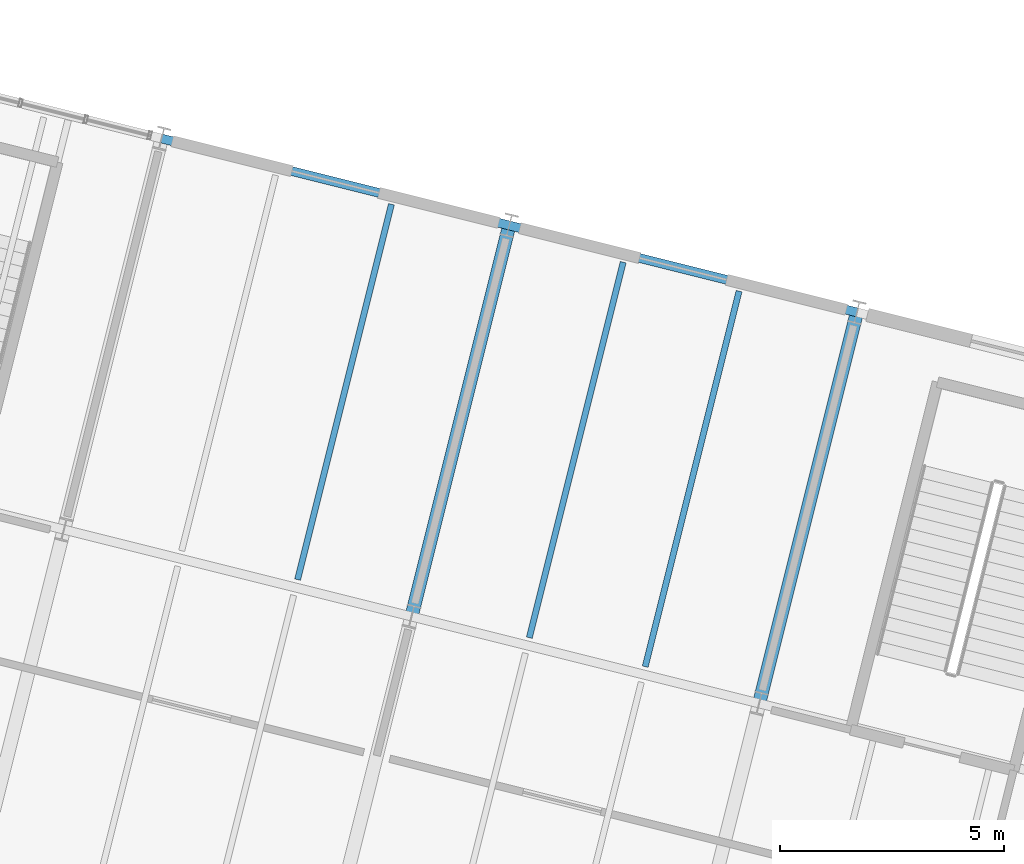
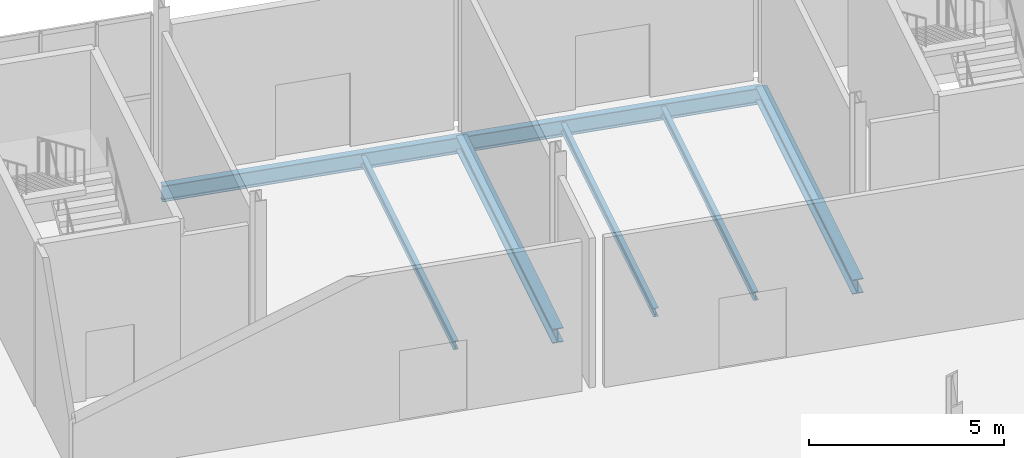
# One storey, part 103 of 158: 7 beams.
"""IFC4 building model written with IfcOpenShell, lengths in metres."""

from ifc_helpers import new_model, si_unit, derived_unit, direction, frame, origin, origin_2d, place, context, subcontext, project, spatial, i_section, extrude, material, material_profile, profile_set, type_object, element, save


model = new_model("IFC4")

# Units and contexts
model_context = context("Model", 3, precision=1e-05, world=origin(), true_north=direction((0.0, 1.0)))
body_context = subcontext(model_context, "Body", "Model", "MODEL_VIEW")
ifc_project = project(units=[si_unit("LENGTHUNIT", "METRE"), si_unit("AREAUNIT", "SQUARE_METRE"), si_unit("VOLUMEUNIT", "CUBIC_METRE"), si_unit("PLANEANGLEUNIT", "RADIAN"), si_unit("MASSUNIT", "GRAM", prefix="KILO"), si_unit("THERMODYNAMICTEMPERATUREUNIT", "KELVIN"), si_unit("TIMEUNIT", "SECOND"), derived_unit("THERMALTRANSMITTANCEUNIT", [(si_unit("MASSUNIT", "GRAM", prefix="KILO"), 1), (si_unit("THERMODYNAMICTEMPERATUREUNIT", "KELVIN"), -1), (si_unit("TIMEUNIT", "SECOND"), -3)])], contexts=[model_context])

# Site, building, storey
site_placement = place(None, origin())
site = spatial("IfcSite", under=ifc_project, at=site_placement, CompositionType="ELEMENT")
building_placement = place(site_placement, origin())
building = spatial("IfcBuilding", under=site, at=building_placement, Name="Cambertide Market Hall", CompositionType="ELEMENT")
storey_placement = place(building_placement, origin())
storey = spatial("IfcBuildingStorey", under=building, at=storey_placement, Name="L01", CompositionType="ELEMENT", Elevation=0.0)

# Beams
ifc_material_1 = material(Name="Steel S355", Category="steel")
ifc_material_profile_1 = material_profile(ifc_material_1, i_section(OverallWidth=0.300048828125, OverallDepth=0.449951171875, WebThickness=0.013916015625, FlangeThickness=0.02587890625, FilletRadius=0.027099609375, at=origin_2d()), Name="HEB 450")
ifc_profile_set_1 = profile_set([ifc_material_profile_1], Name="Steel S355")
beam_type_1 = type_object("IfcBeamType", Name="Steel Girder HEB 450", PredefinedType="BEAM", material=ifc_profile_set_1)
beam_1_placement = place(storey_placement, frame((158.932373046875, 105.82080078125, -0.52490234375), z_axis=(0.242535625036, 0.970142500145, 0.0), x_axis=(-0.970142500145, 0.242535625036, 0.0)))
element("IfcBeam", 1, at=beam_1_placement, inside=storey, type_object=beam_type_1, Name="Level 1 Beam BM-V4V-L01-7-3", PredefinedType="BEAM", context=body_context, shape_type="SweptSolid", body=[
    extrude(i_section(OverallWidth=0.300048828125, OverallDepth=0.449951171875, WebThickness=0.013916015625, FlangeThickness=0.02587890625, FilletRadius=0.027099609375, at=origin_2d()), origin(), (0.0, 0.0, 1.0), 9.000244140625),
])
beam_2_placement = place(storey_placement, frame((166.693603515625, 103.880615234375, -0.52490234375), z_axis=(0.242542007841, 0.970140904422, 0.0), x_axis=(-0.970140904422, 0.242542007841, 0.0)))
element("IfcBeam", 2, at=beam_2_placement, inside=storey, type_object=beam_type_1, Name="Level 1 Beam BM-V4V-L01-8-3", PredefinedType="BEAM", context=body_context, shape_type="SweptSolid", body=[
    extrude(i_section(OverallWidth=0.300048828125, OverallDepth=0.449951171875, WebThickness=0.013916015625, FlangeThickness=0.02587890625, FilletRadius=0.027099609375, at=origin_2d()), origin(), (0.0, 0.0, 1.0), 9.0),
])
ifc_material_2 = material(Name="Steel S355", Category="steel")
ifc_material_profile_2 = material_profile(ifc_material_2, i_section(OverallWidth=0.199951171875, OverallDepth=0.5, WebThickness=0.01025390625, FlangeThickness=0.01611328125, FilletRadius=0.02099609375, at=origin_2d()), Name="IPE 500")
ifc_profile_set_2 = profile_set([ifc_material_profile_2], Name="Steel S355")
beam_type_2 = type_object("IfcBeamType", Name="Steel Girder IPE 500", PredefinedType="BEAM", material=ifc_profile_set_2)
beam_3_placement = place(storey_placement, frame((153.354248046875, 116.492431640625, -0.550048828125), z_axis=(0.970144295309, -0.242528444268, 0.0), x_axis=(0.242528444268, 0.970144295309, 0.0)))
element("IfcBeam", 3, at=beam_3_placement, inside=storey, type_object=beam_type_2, Name="Level 1 Beam BM-V4U-L01-6-4", PredefinedType="BEAM", context=body_context, shape_type="SweptSolid", body=[
    extrude(i_section(OverallWidth=0.199951171875, OverallDepth=0.5, WebThickness=0.01025390625, FlangeThickness=0.01611328125, FilletRadius=0.02099609375, at=origin_2d()), origin(), (0.0, 0.0, 1.0), 7.999755859375),
])
beam_4_placement = place(storey_placement, frame((161.115234375, 114.55224609375, -0.550048828125), z_axis=(0.970138909791, -0.242549986002, 0.0), x_axis=(0.242549986002, 0.970138909791, 0.0)))
element("IfcBeam", 4, at=beam_4_placement, inside=storey, type_object=beam_type_2, Name="Level 1 Beam BM-V4U-L01-7-4", PredefinedType="BEAM", context=body_context, shape_type="SweptSolid", body=[
    extrude(i_section(OverallWidth=0.199951171875, OverallDepth=0.5, WebThickness=0.01025390625, FlangeThickness=0.01611328125, FilletRadius=0.02099609375, at=origin_2d()), origin(), (0.0, 0.0, 1.0), 8.000244140625),
])
ifc_material_3 = material(Name="Steel S275", Category="steel")
ifc_material_profile_3 = material_profile(ifc_material_3, i_section(OverallWidth=0.135009765625, OverallDepth=0.27001953125, WebThickness=0.006591796875, FlangeThickness=0.01025390625, FilletRadius=0.014892578125, at=origin_2d()), Name="IPE 270")
ifc_profile_set_3 = profile_set([ifc_material_profile_3], Name="Steel S275")
beam_type_3 = type_object("IfcBeamType", Name="Steel Secondary Joist IPE 270", PredefinedType="JOIST", material=ifc_profile_set_3)
beam_5_placement = place(storey_placement, frame((156.38916015625, 106.642333984375, -0.43505859375), z_axis=(0.242535625036, 0.970142500145, 0.0), x_axis=(-0.970142500145, 0.242535625036, 0.0)))
element("IfcBeam", 5, at=beam_5_placement, inside=storey, type_object=beam_type_3, Name="Level 1 Joist JS-V4-L01-6-3-2", PredefinedType="JOIST", context=body_context, shape_type="SweptSolid", body=[
    extrude(i_section(OverallWidth=0.135009765625, OverallDepth=0.27001953125, WebThickness=0.006591796875, FlangeThickness=0.01025390625, FilletRadius=0.014892578125, at=origin_2d()), origin(), (0.0, 0.0, 1.0), 8.639892578125),
])
for number, where, z_axis, x_axis, name in (
    (6, (161.563232421875, 105.3486328125, -0.43505859375), (0.242528976348, 0.970144162293, 0.0), (-0.970144162293, 0.242528976348, 0.0), "Level 1 Joist JS-V4-L01-7-3-1"),
    (7, (164.150146484375, 104.701904296875, -0.43505859375), (0.242555570896, 0.970137513463, 0.0), (-0.970137513463, 0.242555570896, 0.0), "Level 1 Joist JS-V4-L01-7-3-2"),
):
    element("IfcBeam", number, at=place(storey_placement, frame(where, z_axis=z_axis, x_axis=x_axis)), inside=storey, type_object=beam_type_3, Name=name, PredefinedType="JOIST", context=body_context, shape_type="SweptSolid", body=[
        extrude(i_section(OverallWidth=0.135009765625, OverallDepth=0.27001953125, WebThickness=0.006591796875, FlangeThickness=0.01025390625, FilletRadius=0.014892578125, at=origin_2d()), origin(), (0.0, 0.0, 1.0), 8.64013671875),
    ])

save(model, "model.ifc")
